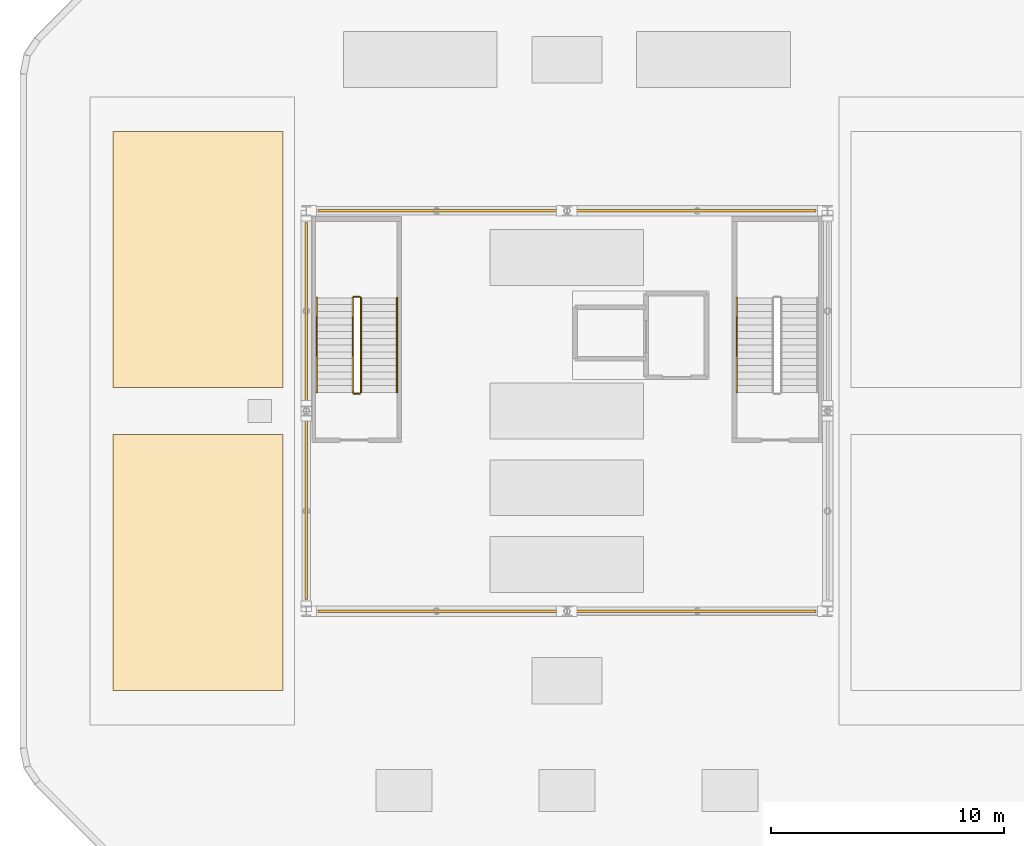
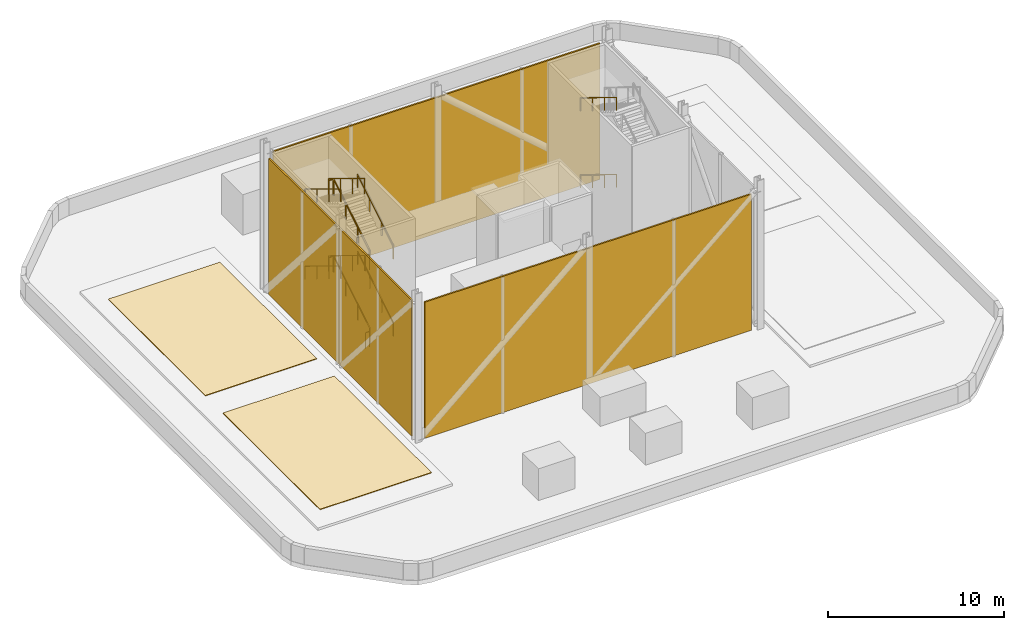
# One storey, part 4 of 6: 14 railings, 3 shading devices, 2 coverings.
"""IFC4 building model written with IfcOpenShell, lengths in metres."""

from ifc_helpers import new_model, si_unit, derived_unit, direction, frame, origin, origin_2d, place, context, subcontext, project, spatial, polyline, rectangle, outline, extrude, material, layer, layer_set, type_object, element, save


model = new_model("IFC4")

# Units and contexts
model_context = context("Model", 3, precision=1e-05, world=origin(), true_north=direction((0.0, 1.0)))
body_context = subcontext(model_context, "Body", "Model", "MODEL_VIEW")
ifc_project = project(units=[si_unit("LENGTHUNIT", "METRE"), si_unit("AREAUNIT", "SQUARE_METRE"), si_unit("VOLUMEUNIT", "CUBIC_METRE"), si_unit("PLANEANGLEUNIT", "RADIAN"), si_unit("MASSUNIT", "GRAM", prefix="KILO"), derived_unit("THERMALTRANSMITTANCEUNIT", [(si_unit("POWERUNIT", "WATT"), 1), (si_unit("LENGTHUNIT", "METRE"), -2), (si_unit("THERMODYNAMICTEMPERATUREUNIT", "KELVIN"), -1)])], contexts=[model_context])

# Site, building, storey
site_placement = place(None, origin())
site = spatial("IfcSite", under=ifc_project, at=site_placement, CompositionType="ELEMENT")
building_placement = place(site_placement, origin())
building = spatial("IfcBuilding", under=site, at=building_placement, Name="Koralith Skygarden Medical Center", CompositionType="ELEMENT")
storey_placement = place(building_placement, frame((0.0, 0.0, 298.97998046875)))
storey = spatial("IfcBuildingStorey", under=building, at=storey_placement, Name="RF", CompositionType="ELEMENT", Elevation=298.97998046875)

# Coverings
ifc_material_1 = material(Name="EPDM Membrane Roofing")
ifc_layer_1 = layer(ifc_material_1, 0.044921875)
ifc_layer_set_1 = layer_set([ifc_layer_1], Name="EPDM Membrane Roofing")
covering_type = type_object("IfcCoveringType", Name="Crown Inverted Membrane Roofing 45", PredefinedType="ROOFING", material=ifc_layer_set_1)
covering_1_placement = place(storey_placement, frame((0.0, 0.0, 0.159912109375)))
element("IfcCovering", 1, at=covering_1_placement, inside=storey, type_object=covering_type, Name="RF Crown Membrane Roofing Sector 1-1", PredefinedType="ROOFING", context=body_context, shape_type="SweptSolid", body=[
    extrude(outline(polyline([(17.5, 13.89990234375), (24.800048828125, 13.89990234375), (24.800048828125, 24.89990234375), (17.5, 24.89990234375), (17.5, 13.89990234375)])), origin(), (0.0, 0.0, 1.0), 0.045166015625),
])
covering_2_placement = place(storey_placement, frame((0.0, 0.0, 0.159912109375)))
element("IfcCovering", 2, at=covering_2_placement, inside=storey, type_object=covering_type, Name="RF Crown Membrane Roofing Sector 1-2", PredefinedType="ROOFING", context=body_context, shape_type="SweptSolid", body=[
    extrude(outline(polyline([(17.5, 26.89990234375), (24.800048828125, 26.89990234375), (24.800048828125, 37.89990234375), (17.5, 37.89990234375), (17.5, 26.89990234375)])), origin(), (0.0, 0.0, 1.0), 0.045166015625),
])

# Shading devices
ifc_material_2 = material(Name="Aluminium 6063-T6", Category="aluminium")
ifc_layer_2 = layer(ifc_material_2, 0.10009765625)
ifc_layer_set_2 = layer_set([ifc_layer_2], Name="Aluminium 6063-T6")
shading_device_type = type_object("IfcShadingDeviceType", Name="Crown Mechanical Enclosure Screen Panel", PredefinedType="USERDEFINED", material=ifc_layer_set_2)
for number, where, z_axis, x_axis, name in (
    (3, (37.0, 17.300048828125, 0.0), (0.0, 0.0, 1.0), (1.0, 0.0, 0.0), "RF Crown Mechanical Screen S"),
    (4, (37.0, 34.5, 0.0), (0.0, 0.0, 1.0), (1.0, 0.0, 0.0), "RF Crown Mechanical Screen N"),
):
    element("IfcShadingDevice", number, at=place(storey_placement, frame(where, z_axis=z_axis, x_axis=x_axis)), inside=storey, type_object=shading_device_type, Name=name, ObjectType="PLANT SCREEN", PredefinedType="USERDEFINED", context=body_context, shape_type="SweptSolid", body=[
        extrude(rectangle(XDim=21.39990234375, YDim=0.10009765625, at=origin_2d()), origin(), (0.0, 0.0, 1.0), 9.419921875),
    ])
shading_device_placement = place(storey_placement, frame((25.800048828125, 25.89990234375, 0.0), z_axis=(0.0, 0.0, 1.0), x_axis=(0.0, 1.0, 0.0)))
element("IfcShadingDevice", 5, at=shading_device_placement, inside=storey, type_object=shading_device_type, Name="RF Crown Mechanical Screen W", ObjectType="PLANT SCREEN", PredefinedType="USERDEFINED", context=body_context, shape_type="SweptSolid", body=[
    extrude(rectangle(XDim=16.199951171875, YDim=0.10009765625, at=origin_2d()), origin(), (0.0, 0.0, 1.0), 9.419921875),
])

# Railings
ifc_material_3 = material(Name="Steel ASTM A500 Grade C", Category="steel")
railing_type_1 = type_object("IfcRailingType", Name="Stair Flight Tubular Handrail 920", PredefinedType="HANDRAIL", material=ifc_material_3)
railing_1_placement = place(storey_placement, frame((29.699951171875, 26.699951171875, 0.177734375)))
element("IfcRailing", 6, at=railing_1_placement, inside=storey, type_object=railing_type_1, Name="RF ST1 stair handrail 1", PredefinedType="HANDRAIL", context=body_context, shape_type="SweptSolid", body=[
    extrude(rectangle(XDim=0.050048828125, YDim=0.050048828125, at=origin_2d()), frame((0.0, 0.001708984375, 0.89599609375), z_axis=(0.0, 0.852477456588, 0.522763986909), x_axis=(-1.0, 0.0, 0.0)), (0.0, 0.0, 1.0), 4.758544921875),
    extrude(rectangle(XDim=0.0419921875, YDim=0.0419921875, at=origin_2d()), origin(), (0.0, 0.0, 1.0), 0.867919921875),
    extrude(rectangle(XDim=0.0419921875, YDim=0.0419921875, at=origin_2d()), frame((0.0, 1.353271484375, 0.829833984375)), (0.0, 0.0, 1.0), 0.867919921875),
    extrude(rectangle(XDim=0.0419921875, YDim=0.0419921875, at=origin_2d()), frame((0.0, 2.706787109375, 1.659912109375)), (0.0, 0.0, 1.0), 0.867919921875),
    extrude(rectangle(XDim=0.0419921875, YDim=0.0419921875, at=origin_2d()), frame((0.0, 4.06005859375, 2.48974609375)), (0.0, 0.0, 1.0), 0.867919921875),
])
railing_2_placement = place(storey_placement, frame((26.25, 30.760009765625, 2.845458984375)))
element("IfcRailing", 7, at=railing_2_placement, inside=storey, type_object=railing_type_1, Name="RF ST1 stair handrail 2", PredefinedType="HANDRAIL", context=body_context, shape_type="SweptSolid", body=[
    extrude(rectangle(XDim=0.050048828125, YDim=0.050048828125, at=origin_2d()), frame((0.0, -0.001708984375, 0.89599609375), z_axis=(0.0, -0.852500300758, 0.522726732822), x_axis=(1.0, 0.0, 0.0)), (0.0, 0.0, 1.0), 4.758544921875),
    extrude(rectangle(XDim=0.0419921875, YDim=0.0419921875, at=origin_2d()), origin(), (0.0, 0.0, 1.0), 0.867919921875),
    extrude(rectangle(XDim=0.0419921875, YDim=0.0419921875, at=origin_2d()), frame((0.0, -1.353271484375, 0.829833984375)), (0.0, 0.0, 1.0), 0.867919921875),
    extrude(rectangle(XDim=0.0419921875, YDim=0.0419921875, at=origin_2d()), frame((0.0, -2.706787109375, 1.65966796875)), (0.0, 0.0, 1.0), 0.867919921875),
    extrude(rectangle(XDim=0.0419921875, YDim=0.0419921875, at=origin_2d()), frame((0.0, -4.06005859375, 2.489501953125)), (0.0, 0.0, 1.0), 0.867919921875),
])
railing_3_placement = place(storey_placement, frame((29.699951171875, 26.699951171875, 5.512939453125)))
element("IfcRailing", 8, at=railing_3_placement, inside=storey, type_object=railing_type_1, Name="RF ST1 stair handrail 3", PredefinedType="HANDRAIL", context=body_context, shape_type="SweptSolid", body=[
    extrude(rectangle(XDim=0.050048828125, YDim=0.050048828125, at=origin_2d()), frame((0.0, 0.001708984375, 0.89599609375), z_axis=(0.0, 0.852500300758, 0.522726732822), x_axis=(-1.0, 0.0, 0.0)), (0.0, 0.0, 1.0), 4.758544921875),
    extrude(rectangle(XDim=0.0419921875, YDim=0.0419921875, at=origin_2d()), origin(), (0.0, 0.0, 1.0), 0.867919921875),
    extrude(rectangle(XDim=0.0419921875, YDim=0.0419921875, at=origin_2d()), frame((0.0, 1.353271484375, 0.829833984375)), (0.0, 0.0, 1.0), 0.867919921875),
    extrude(rectangle(XDim=0.0419921875, YDim=0.0419921875, at=origin_2d()), frame((0.0, 2.706787109375, 1.65966796875)), (0.0, 0.0, 1.0), 0.867919921875),
    extrude(rectangle(XDim=0.0419921875, YDim=0.0419921875, at=origin_2d()), frame((0.0, 4.06005859375, 2.489501953125)), (0.0, 0.0, 1.0), 0.867919921875),
])
for number, where, name in (
    (9, (26.25, 30.760009765625, 8.180419921875), "RF ST1 stair handrail 4"),
    (10, (44.300048828125, 30.760009765625, 2.845458984375), "RF ST2 stair handrail 2"),
    (11, (44.300048828125, 30.760009765625, 8.180419921875), "RF ST2 stair handrail 4"),
):
    element("IfcRailing", number, at=place(storey_placement, frame(where)), inside=storey, type_object=railing_type_1, Name=name, PredefinedType="HANDRAIL", context=body_context, shape_type="SweptSolid", body=[
        extrude(rectangle(XDim=0.050048828125, YDim=0.050048828125, at=origin_2d()), frame((0.0, -0.001708984375, 0.89599609375), z_axis=(0.0, -0.852500300758, 0.522726732822), x_axis=(1.0, 0.0, 0.0)), (0.0, 0.0, 1.0), 4.758544921875),
        extrude(rectangle(XDim=0.0419921875, YDim=0.0419921875, at=origin_2d()), origin(), (0.0, 0.0, 1.0), 0.867919921875),
        extrude(rectangle(XDim=0.0419921875, YDim=0.0419921875, at=origin_2d()), frame((0.0, -1.353271484375, 0.829833984375)), (0.0, 0.0, 1.0), 0.867919921875),
        extrude(rectangle(XDim=0.0419921875, YDim=0.0419921875, at=origin_2d()), frame((0.0, -2.706787109375, 1.65966796875)), (0.0, 0.0, 1.0), 0.867919921875),
        extrude(rectangle(XDim=0.0419921875, YDim=0.0419921875, at=origin_2d()), frame((0.0, -4.06005859375, 2.489501953125)), (0.0, 0.0, 1.0), 0.867919921875),
    ])
railing_type_2 = type_object("IfcRailingType", Name="Stair Well Safety Guardrail 1100", PredefinedType="GUARDRAIL", material=ifc_material_3)
railing_4_placement = place(storey_placement, frame((28.14990234375, 26.699951171875, 0.177734375)))
element("IfcRailing", 12, at=railing_4_placement, inside=storey, type_object=railing_type_2, Name="RF ST1 stair guard 1", PredefinedType="GUARDRAIL", context=body_context, shape_type="SweptSolid", body=[
    extrude(rectangle(XDim=0.050048828125, YDim=0.050048828125, at=origin_2d()), frame((0.0, 0.001708984375, 1.076171875), z_axis=(0.0, 0.852477456588, 0.522763986909), x_axis=(-1.0, 0.0, 0.0)), (0.0, 0.0, 1.0), 4.758544921875),
    extrude(rectangle(XDim=0.0419921875, YDim=0.0419921875, at=origin_2d()), origin(), (0.0, 0.0, 1.0), 1.048095703125),
    extrude(rectangle(XDim=0.0419921875, YDim=0.0419921875, at=origin_2d()), frame((0.0, 1.353271484375, 0.829833984375)), (0.0, 0.0, 1.0), 1.048095703125),
    extrude(rectangle(XDim=0.0419921875, YDim=0.0419921875, at=origin_2d()), frame((0.0, 2.706787109375, 1.659912109375)), (0.0, 0.0, 1.0), 1.048095703125),
    extrude(rectangle(XDim=0.0419921875, YDim=0.0419921875, at=origin_2d()), frame((0.0, 4.06005859375, 2.48974609375)), (0.0, 0.0, 1.0), 1.048095703125),
])
railing_5_placement = place(storey_placement, frame((28.10009765625, 30.81005859375, 2.66748046875)))
element("IfcRailing", 13, at=railing_5_placement, inside=storey, type_object=railing_type_2, Name="RF ST1 stair guard 2", PredefinedType="GUARDRAIL", context=body_context, shape_type="SweptSolid", body=[
    extrude(rectangle(XDim=0.050048828125, YDim=0.050048828125, at=origin_2d()), frame((-0.001953125, 0.0, 1.0751953125), z_axis=(-1.0, 0.0, 0.0), x_axis=(0.0, -1.0, 0.0)), (0.0, 0.0, 1.0), 0.24609375),
    extrude(rectangle(XDim=0.0419921875, YDim=0.0419921875, at=origin_2d()), origin(), (0.0, 0.0, 1.0), 1.048095703125),
    extrude(rectangle(XDim=0.0419921875, YDim=0.0419921875, at=origin_2d()), frame((-0.25, 0.0, 0.0)), (0.0, 0.0, 1.0), 1.048095703125),
])
railing_6_placement = place(storey_placement, frame((27.800048828125, 30.760009765625, 2.845458984375)))
element("IfcRailing", 14, at=railing_6_placement, inside=storey, type_object=railing_type_2, Name="RF ST1 stair guard 3", PredefinedType="GUARDRAIL", context=body_context, shape_type="SweptSolid", body=[
    extrude(rectangle(XDim=0.050048828125, YDim=0.050048828125, at=origin_2d()), frame((0.0, -0.001708984375, 1.076171875), z_axis=(0.0, -0.852500300758, 0.522726732822), x_axis=(1.0, 0.0, 0.0)), (0.0, 0.0, 1.0), 4.758544921875),
    extrude(rectangle(XDim=0.0419921875, YDim=0.0419921875, at=origin_2d()), origin(), (0.0, 0.0, 1.0), 1.048095703125),
    extrude(rectangle(XDim=0.0419921875, YDim=0.0419921875, at=origin_2d()), frame((0.0, -1.353271484375, 0.829833984375)), (0.0, 0.0, 1.0), 1.048095703125),
    extrude(rectangle(XDim=0.0419921875, YDim=0.0419921875, at=origin_2d()), frame((0.0, -2.706787109375, 1.65966796875)), (0.0, 0.0, 1.0), 1.048095703125),
    extrude(rectangle(XDim=0.0419921875, YDim=0.0419921875, at=origin_2d()), frame((0.0, -4.06005859375, 2.489501953125)), (0.0, 0.0, 1.0), 1.048095703125),
])
railing_7_placement = place(storey_placement, frame((28.10009765625, 26.64990234375, 5.3349609375)))
element("IfcRailing", 15, at=railing_7_placement, inside=storey, type_object=railing_type_2, Name="RF ST1 stair guard 4", PredefinedType="GUARDRAIL", context=body_context, shape_type="SweptSolid", body=[
    extrude(rectangle(XDim=0.050048828125, YDim=0.050048828125, at=origin_2d()), frame((-0.001953125, 0.0, 1.0751953125), z_axis=(-1.0, 0.0, 0.0), x_axis=(0.0, -1.0, 0.0)), (0.0, 0.0, 1.0), 0.24609375),
    extrude(rectangle(XDim=0.0419921875, YDim=0.0419921875, at=origin_2d()), origin(), (0.0, 0.0, 1.0), 1.048095703125),
    extrude(rectangle(XDim=0.0419921875, YDim=0.0419921875, at=origin_2d()), frame((-0.25, 0.0, 0.0)), (0.0, 0.0, 1.0), 1.048095703125),
])
railing_8_placement = place(storey_placement, frame((28.14990234375, 26.699951171875, 5.512939453125)))
element("IfcRailing", 16, at=railing_8_placement, inside=storey, type_object=railing_type_2, Name="RF ST1 stair guard 5", PredefinedType="GUARDRAIL", context=body_context, shape_type="SweptSolid", body=[
    extrude(rectangle(XDim=0.050048828125, YDim=0.050048828125, at=origin_2d()), frame((0.0, 0.001708984375, 1.076171875), z_axis=(0.0, 0.852500300758, 0.522726732822), x_axis=(-1.0, 0.0, 0.0)), (0.0, 0.0, 1.0), 4.758544921875),
    extrude(rectangle(XDim=0.0419921875, YDim=0.0419921875, at=origin_2d()), origin(), (0.0, 0.0, 1.0), 1.048095703125),
    extrude(rectangle(XDim=0.0419921875, YDim=0.0419921875, at=origin_2d()), frame((0.0, 1.353271484375, 0.829833984375)), (0.0, 0.0, 1.0), 1.048095703125),
    extrude(rectangle(XDim=0.0419921875, YDim=0.0419921875, at=origin_2d()), frame((0.0, 2.706787109375, 1.65966796875)), (0.0, 0.0, 1.0), 1.048095703125),
    extrude(rectangle(XDim=0.0419921875, YDim=0.0419921875, at=origin_2d()), frame((0.0, 4.06005859375, 2.489501953125)), (0.0, 0.0, 1.0), 1.048095703125),
])
railing_9_placement = place(storey_placement, frame((28.10009765625, 30.81005859375, 8.00244140625)))
element("IfcRailing", 17, at=railing_9_placement, inside=storey, type_object=railing_type_2, Name="RF ST1 stair guard 6", PredefinedType="GUARDRAIL", context=body_context, shape_type="SweptSolid", body=[
    extrude(rectangle(XDim=0.050048828125, YDim=0.050048828125, at=origin_2d()), frame((-0.001953125, 0.0, 1.0751953125), z_axis=(-1.0, 0.0, 0.0), x_axis=(0.0, -1.0, 0.0)), (0.0, 0.0, 1.0), 0.24609375),
    extrude(rectangle(XDim=0.0419921875, YDim=0.0419921875, at=origin_2d()), origin(), (0.0, 0.0, 1.0), 1.048095703125),
    extrude(rectangle(XDim=0.0419921875, YDim=0.0419921875, at=origin_2d()), frame((-0.25, 0.0, 0.0)), (0.0, 0.0, 1.0), 1.048095703125),
])
railing_10_placement = place(storey_placement, frame((27.800048828125, 30.760009765625, 8.180419921875)))
element("IfcRailing", 18, at=railing_10_placement, inside=storey, type_object=railing_type_2, Name="RF ST1 stair guard 7", PredefinedType="GUARDRAIL", context=body_context, shape_type="SweptSolid", body=[
    extrude(rectangle(XDim=0.050048828125, YDim=0.050048828125, at=origin_2d()), frame((0.0, -0.001708984375, 1.076171875), z_axis=(0.0, -0.852500300758, 0.522726732822), x_axis=(1.0, 0.0, 0.0)), (0.0, 0.0, 1.0), 4.758544921875),
    extrude(rectangle(XDim=0.0419921875, YDim=0.0419921875, at=origin_2d()), origin(), (0.0, 0.0, 1.0), 1.048095703125),
    extrude(rectangle(XDim=0.0419921875, YDim=0.0419921875, at=origin_2d()), frame((0.0, -1.353271484375, 0.829833984375)), (0.0, 0.0, 1.0), 1.048095703125),
    extrude(rectangle(XDim=0.0419921875, YDim=0.0419921875, at=origin_2d()), frame((0.0, -2.706787109375, 1.65966796875)), (0.0, 0.0, 1.0), 1.048095703125),
    extrude(rectangle(XDim=0.0419921875, YDim=0.0419921875, at=origin_2d()), frame((0.0, -4.06005859375, 2.489501953125)), (0.0, 0.0, 1.0), 1.048095703125),
])
railing_11_placement = place(storey_placement, frame((28.10009765625, 26.64990234375, 0.0)))
element("IfcRailing", 19, at=railing_11_placement, inside=storey, type_object=railing_type_2, Name="RF ST1 stair guard 8", PredefinedType="GUARDRAIL", context=body_context, shape_type="SweptSolid", body=[
    extrude(rectangle(XDim=0.050048828125, YDim=0.050048828125, at=origin_2d()), frame((-0.001953125, 0.0, 1.0751953125), z_axis=(-1.0, 0.0, 0.0), x_axis=(0.0, -1.0, 0.0)), (0.0, 0.0, 1.0), 0.24609375),
    extrude(rectangle(XDim=0.0419921875, YDim=0.0419921875, at=origin_2d()), origin(), (0.0, 0.0, 1.0), 1.048095703125),
    extrude(rectangle(XDim=0.0419921875, YDim=0.0419921875, at=origin_2d()), frame((-0.25, 0.0, 0.0)), (0.0, 0.0, 1.0), 1.048095703125),
])

save(model, "model.ifc")
